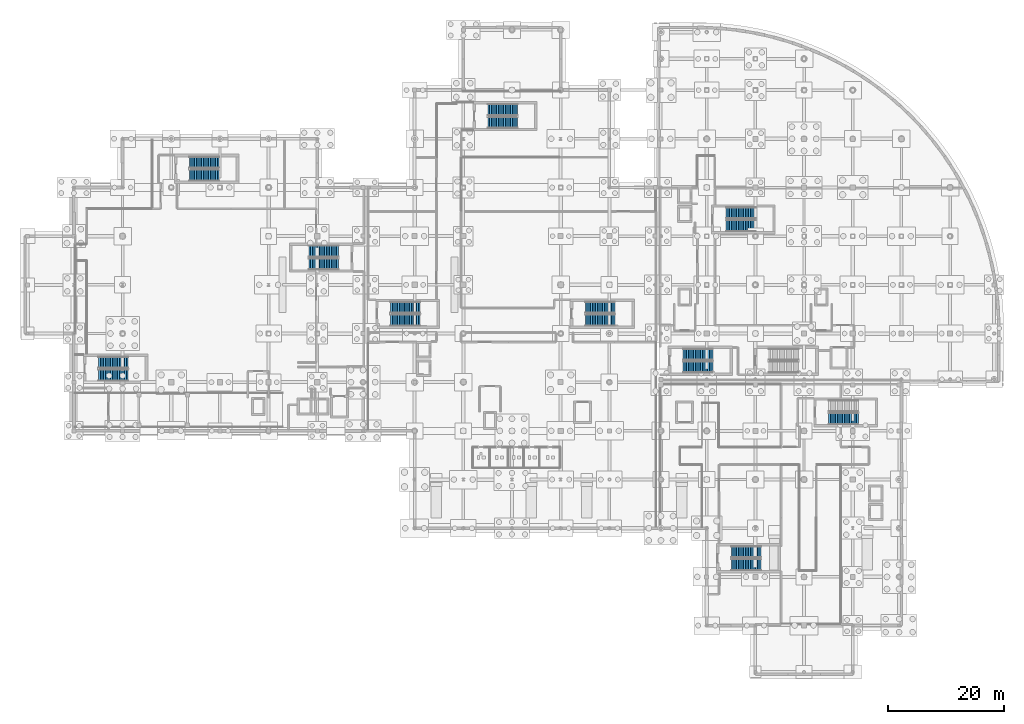
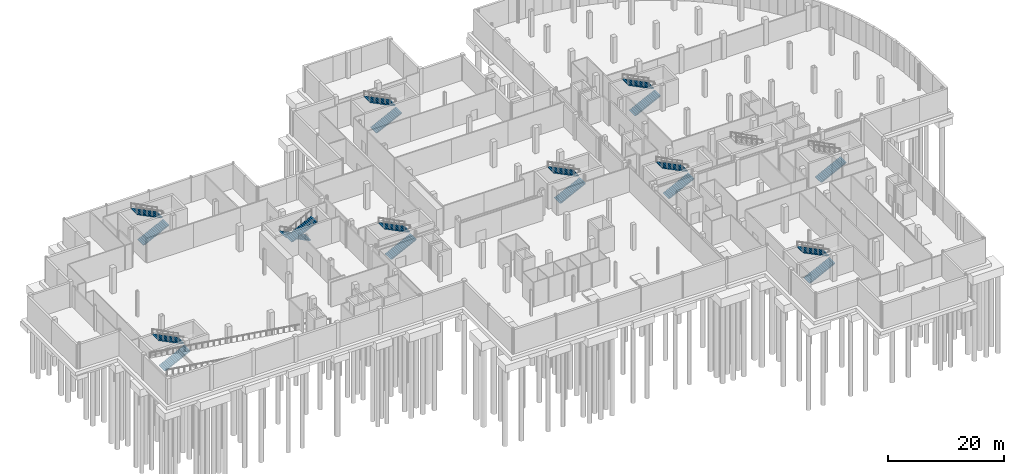
# One storey, part 36 of 49: 19 stair flights, 10 elements without a shape of their own.
"""IFC4 building model written with IfcOpenShell, lengths in metres."""

import ifcopenshell
import ifcopenshell.guid

model = None  # the IFC model being written
_history = None  # IfcOwnerHistory: only IFC2X3 demands one
_inside = {}  # id of a spatial element -> (the spatial element, [elements in it])
_under = {}  # id of a project, library or spatial element -> (it, [spatial elements below it])
_declared = {}  # id of a project -> (the project, [libraries it declares])
_typed = {}  # id of a type object -> (the type object, [elements of that type])
_made_of = {}  # id of a material, layer set ... -> (it, [elements and type objects made of it])


def new_model(schema):
    """Start an empty IFC model of exactly this schema.

    Asked for "IFC4X3", IfcOpenShell would pick the latest addendum, in which some entities
    have other attributes; the version numbers below select the first issue.
    IFC2X3 requires an IfcOwnerHistory on every rooted entity: one is made here for all.
    """
    global model, _history
    if schema == "IFC4X3":
        model = ifcopenshell.file(schema_version=(4, 3, 0, 0))
    else:
        model = ifcopenshell.file(schema=schema)
    _inside.clear()
    _under.clear()
    _declared.clear()
    _typed.clear()
    _made_of.clear()
    _history = None
    if model.schema == "IFC2X3":
        org = make("IfcOrganization", Name="unknown")
        user = make(
            "IfcPersonAndOrganization",
            ThePerson=make("IfcPerson", FamilyName="unknown"),
            TheOrganization=org,
        )
        app = make(
            "IfcApplication",
            ApplicationDeveloper=org,
            Version="unknown",
            ApplicationFullName="unknown",
            ApplicationIdentifier="unknown",
        )
        _history = make(
            "IfcOwnerHistory",
            OwningUser=user,
            OwningApplication=app,
            ChangeAction="ADDED",
            CreationDate=0,
        )
    return model


def make(cls, **values):
    """One entity of the class cls with the attributes given. An attribute that is None is left unset."""
    return model.create_entity(
        cls, **{name: value for name, value in values.items() if value is not None}
    )


def rooted(cls, **values):
    """An entity with a GlobalId (a new one), such as an element, a storey or a relation."""
    return make(cls, GlobalId=ifcopenshell.guid.new(), OwnerHistory=_history, **values)


def si_unit(unit_type, name, prefix=None):
    """IfcSIUnit, for example si_unit("LENGTHUNIT", "METRE", prefix="MILLI")."""
    return make("IfcSIUnit", UnitType=unit_type, Prefix=prefix, Name=name)


def assignment(units):
    """IfcUnitAssignment: the units of a project."""
    return None if units is None else make("IfcUnitAssignment", Units=units)


def point(xyz):
    """IfcCartesianPoint."""
    return None if xyz is None else make("IfcCartesianPoint", Coordinates=xyz)


def direction(xyz):
    """IfcDirection."""
    return None if xyz is None else make("IfcDirection", DirectionRatios=xyz)


def frame(location, z_axis=None, x_axis=None):
    """IfcAxis2Placement3D, a coordinate frame: its origin and axes. An axis left out is left unset."""
    return make(
        "IfcAxis2Placement3D",
        Location=point(location),
        Axis=direction(z_axis),
        RefDirection=direction(x_axis),
    )


def origin():
    """The frame at (0, 0, 0) with its axes left unset."""
    return frame((0.0, 0.0, 0.0))


def place(relative_to, where):
    """IfcLocalPlacement: puts the frame where relative to a parent placement (None: the world)."""
    return make(
        "IfcLocalPlacement", PlacementRelTo=relative_to, RelativePlacement=where
    )


def context(
    kind, dimensions, precision=None, world=None, true_north=None, identifier=None
):
    """IfcGeometricRepresentationContext, for example the 3D "Model" context."""
    return make(
        "IfcGeometricRepresentationContext",
        ContextIdentifier=identifier,
        ContextType=kind,
        CoordinateSpaceDimension=dimensions,
        Precision=precision,
        WorldCoordinateSystem=world,
        TrueNorth=true_north,
    )


def subcontext(parent, identifier, kind, view, scale=None):
    """IfcGeometricRepresentationSubContext, for example "Body" below "Model"."""
    return make(
        "IfcGeometricRepresentationSubContext",
        ContextIdentifier=identifier,
        ContextType=kind,
        ParentContext=parent,
        TargetScale=scale,
        TargetView=view,
    )


def project(units=None, contexts=None):
    """IfcProject with its units and contexts."""
    return rooted(
        "IfcProject",
        Name="project",
        RepresentationContexts=contexts,
        UnitsInContext=assignment(units),
    )


def spatial(cls, under=None, at=None, **own):
    """A site, building, storey or space (cls), placed at a placement, below another one or the project."""
    s = rooted(cls, ObjectPlacement=at, **own)
    if under is not None:
        _under.setdefault(under.id(), (under, []))[1].append(s)
    return s


def polyline(points):
    """IfcPolyline through the points."""
    return make("IfcPolyline", Points=[point(p) for p in points])


def outline(outer, holes=None, kind="AREA"):
    """IfcArbitraryClosedProfileDef: a profile drawn as a closed curve; with holes, ...WithVoids."""
    if holes is None:
        return make("IfcArbitraryClosedProfileDef", ProfileType=kind, OuterCurve=outer)
    return make(
        "IfcArbitraryProfileDefWithVoids",
        ProfileType=kind,
        OuterCurve=outer,
        InnerCurves=holes,
    )


def extrude(swept, where, along, depth):
    """IfcExtrudedAreaSolid: the profile swept, set in the frame where, extruded along a direction by depth."""
    return make(
        "IfcExtrudedAreaSolid",
        SweptArea=swept,
        Position=where,
        ExtrudedDirection=direction(along),
        Depth=depth,
    )


def shape(context_of_items, identifier, shape_type, items):
    """IfcShapeRepresentation: the items that make up one representation, for example the "Body"."""
    return make(
        "IfcShapeRepresentation",
        ContextOfItems=context_of_items,
        RepresentationIdentifier=identifier,
        RepresentationType=shape_type,
        Items=items,
    )


def material(Name=None, Category=None):
    """IfcMaterial."""
    return make("IfcMaterial", Name=Name, Category=Category)


def made_of(thing, what):
    """Note that an element or type object is made of a material, layer set ...; save() writes the relation."""
    if what is not None:
        _made_of.setdefault(what.id(), (what, []))[1].append(thing)
    return thing


def type_object(cls, material=None, **own):
    """A type object (cls), such as IfcWallType, which elements share."""
    return made_of(rooted(cls, **own), material)


def element(
    cls,
    number,
    at=None,
    inside=None,
    cuts=None,
    type_object=None,
    material=None,
    context=None,
    identifier="Body",
    shape_type=None,
    held_by="IfcProductDefinitionShape",
    body=None,
    shapes=None,
    **own,
):
    """One element of the class cls, such as IfcWall. Its Tag is "e" and its number.

    at: its placement. inside: the storey or other place that contains it. cuts: it is an
    opening in that element (IfcRelVoidsElement). A single representation is given by context,
    identifier, shape_type and body (its items); several are given by shapes. held_by: the class
    of the entity that holds the representations. save() writes the other relations.
    """
    e = rooted(cls, Tag="e%d" % number, ObjectPlacement=at, **own)
    if body is not None:
        shapes = [shape(context, identifier, shape_type, body)]
    if shapes is not None:
        e.Representation = make(held_by, Representations=shapes)
    if inside is not None:
        _inside.setdefault(inside.id(), (inside, []))[1].append(e)
    if cuts is not None:
        rooted(
            "IfcRelVoidsElement", RelatingBuildingElement=cuts, RelatedOpeningElement=e
        )
    if type_object is not None:
        _typed.setdefault(type_object.id(), (type_object, []))[1].append(e)
    return made_of(e, material)


def aggregate(whole, parts):
    """IfcRelAggregates: a whole, such as a stair, and the parts it consists of."""
    return rooted("IfcRelAggregates", RelatingObject=whole, RelatedObjects=parts)


def save(model, path):
    """Write the relations noted so far, then the file.

    IfcRelAggregates (storeys below a building ...), IfcRelContainedInSpatialStructure (elements
    in a storey), IfcRelDefinesByType, IfcRelAssociatesMaterial and IfcRelDeclares: one each for
    every whole, place, type object, material and project.
    """
    for whole, parts in _under.values():
        aggregate(whole, parts)
    for where, things in _inside.values():
        rooted(
            "IfcRelContainedInSpatialStructure",
            RelatedElements=things,
            RelatingStructure=where,
        )
    for kind, things in _typed.values():
        rooted("IfcRelDefinesByType", RelatedObjects=things, RelatingType=kind)
    for what, things in _made_of.values():
        rooted("IfcRelAssociatesMaterial", RelatedObjects=things, RelatingMaterial=what)
    for by, libraries in _declared.values():
        rooted("IfcRelDeclares", RelatingContext=by, RelatedDefinitions=libraries)
    model.write(path)


model = new_model("IFC4")

# Units and contexts
model_context = context("Model", 3, precision=1e-05, world=origin(), true_north=direction((0.0, 1.0)))
body_context = subcontext(model_context, "Body", "Model", "MODEL_VIEW")
ifc_project = project(units=[si_unit("LENGTHUNIT", "METRE"), si_unit("AREAUNIT", "SQUARE_METRE"), si_unit("VOLUMEUNIT", "CUBIC_METRE"), si_unit("PLANEANGLEUNIT", "RADIAN"), si_unit("MASSUNIT", "GRAM", prefix="KILO"), si_unit("THERMODYNAMICTEMPERATUREUNIT", "KELVIN")], contexts=[model_context])

# Site, building, storey
site_placement = place(None, origin())
site = spatial("IfcSite", under=ifc_project, at=site_placement, CompositionType="ELEMENT")
building_placement = place(site_placement, origin())
building = spatial("IfcBuilding", under=site, at=building_placement, Name="Lustrewick Department Store", CompositionType="ELEMENT")
storey_placement = place(building_placement, frame((0.0, 0.0, -5.39990234375)))
storey = spatial("IfcBuildingStorey", under=building, at=storey_placement, Name="B1", CompositionType="ELEMENT", Elevation=-5.39990234375)

# Stair, stair flights
ifc_material = material(Name="Concrete C30", Category="concrete")
stair_type = type_object("IfcStairType", Name="ST-H54", PredefinedType="HALF_TURN_STAIR", material=ifc_material)
stair_1_placement = place(storey_placement, origin())
stair_1 = element("IfcStair", 1, at=stair_1_placement, inside=storey, type_object=stair_type, Name="B1 Smoke-Proof Exit Stair ST01", PredefinedType="HALF_TURN_STAIR")
stair_flight_type = type_object("IfcStairFlightType", Name="SF-H54", PredefinedType="STRAIGHT", material=ifc_material)
stair_flight_1_placement = place(storey_placement, frame((12.64990234375, 51.60009765625, 0.0), z_axis=(0.0, 0.0, 1.0), x_axis=(1.0, 0.0, 0.0)))
stair_flight_1 = element("IfcStairFlight", 2, at=stair_flight_1_placement, type_object=stair_flight_type, Name="ST-H54 flight 1", NumberOfRisers=18, NumberOfTreads=17, PredefinedType="STRAIGHT", RiserHeight=0.15, TreadLength=0.3, context=body_context, shape_type="SweptSolid", body=[
    extrude(outline(polyline([(0.0, 0.0), (0.0, 0.14990234375), (0.300048828125, 0.14990234375), (0.300048828125, 0.300048828125), (0.60009765625, 0.300048828125), (0.60009765625, 0.449951171875), (0.89990234375, 0.449951171875), (0.89990234375, 0.60009765625), (1.199951171875, 0.60009765625), (1.199951171875, 0.75), (1.5, 0.75), (1.5, 0.89990234375), (1.800048828125, 0.89990234375), (1.800048828125, 1.050048828125), (2.10009765625, 1.050048828125), (2.10009765625, 1.199951171875), (2.39990234375, 1.199951171875), (2.39990234375, 1.35009765625), (2.699951171875, 1.35009765625), (2.699951171875, 1.5), (3.0, 1.5), (3.0, 1.64990234375), (3.300048828125, 1.64990234375), (3.300048828125, 1.800048828125), (3.60009765625, 1.800048828125), (3.60009765625, 1.949951171875), (3.89990234375, 1.949951171875), (3.89990234375, 2.10009765625), (4.199951171875, 2.10009765625), (4.199951171875, 2.25), (4.5, 2.25), (4.5, 2.39990234375), (4.800048828125, 2.39990234375), (4.800048828125, 2.550048828125), (5.10009765625, 2.550048828125), (5.10009765625, 2.699951171875), (5.10009765625, 2.37109375), (0.357666015625, 0.0), (0.0, 0.0)])), frame((0.0, 1.0, 0.0), z_axis=(0.0, -1.0, 0.0), x_axis=(1.0, 0.0, 0.0)), (0.0, 0.0, 1.0), 2.0),
])
stair_flight_2_placement = place(storey_placement, frame((17.75, 53.800048828125, 2.699951171875), z_axis=(0.0, 0.0, 1.0), x_axis=(-1.0, 0.0, 0.0)))
stair_flight_2 = element("IfcStairFlight", 3, at=stair_flight_2_placement, type_object=stair_flight_type, Name="ST-H54 flight 2", NumberOfRisers=18, NumberOfTreads=17, PredefinedType="STRAIGHT", RiserHeight=0.15, TreadLength=0.3, context=body_context, shape_type="SweptSolid", body=[
    extrude(outline(polyline([(0.0, 0.0), (0.0, 0.14990234375), (0.300048828125, 0.14990234375), (0.300048828125, 0.300048828125), (0.60009765625, 0.300048828125), (0.60009765625, 0.449951171875), (0.89990234375, 0.449951171875), (0.89990234375, 0.60009765625), (1.199951171875, 0.60009765625), (1.199951171875, 0.75), (1.5, 0.75), (1.5, 0.89990234375), (1.800048828125, 0.89990234375), (1.800048828125, 1.050048828125), (2.10009765625, 1.050048828125), (2.10009765625, 1.199951171875), (2.39990234375, 1.199951171875), (2.39990234375, 1.35009765625), (2.699951171875, 1.35009765625), (2.699951171875, 1.5), (3.0, 1.5), (3.0, 1.64990234375), (3.300048828125, 1.64990234375), (3.300048828125, 1.800048828125), (3.60009765625, 1.800048828125), (3.60009765625, 1.949951171875), (3.89990234375, 1.949951171875), (3.89990234375, 2.10009765625), (4.199951171875, 2.10009765625), (4.199951171875, 2.25), (4.5, 2.25), (4.5, 2.39990234375), (4.800048828125, 2.39990234375), (4.800048828125, 2.550048828125), (5.10009765625, 2.550048828125), (5.10009765625, 2.699951171875), (5.10009765625, 2.37109375), (0.357666015625, 0.0), (0.0, 0.0)])), frame((0.0, 1.0, 0.0), z_axis=(0.0, -1.0, 0.0), x_axis=(1.0, 0.0, 0.0)), (0.0, 0.0, 1.0), 2.0),
])
aggregate(stair_1, [stair_flight_1, stair_flight_2])

stair_2_placement = place(storey_placement, origin())
stair_2 = element("IfcStair", 4, at=stair_2_placement, inside=storey, type_object=stair_type, Name="B1 Smoke-Proof Exit Stair ST02", PredefinedType="HALF_TURN_STAIR")
stair_flight_3_placement = place(storey_placement, frame((54.050048828125, 73.0, 0.0), z_axis=(0.0, 0.0, 1.0), x_axis=(-1.0, 0.0, 0.0)))
stair_flight_3 = element("IfcStairFlight", 5, at=stair_flight_3_placement, type_object=stair_flight_type, Name="ST-H54 flight 1", NumberOfRisers=18, NumberOfTreads=17, PredefinedType="STRAIGHT", RiserHeight=0.15, TreadLength=0.3, context=body_context, shape_type="SweptSolid", body=[
    extrude(outline(polyline([(0.0, 0.0), (0.0, 0.14990234375), (0.300048828125, 0.14990234375), (0.300048828125, 0.300048828125), (0.60009765625, 0.300048828125), (0.60009765625, 0.449951171875), (0.89990234375, 0.449951171875), (0.89990234375, 0.60009765625), (1.199951171875, 0.60009765625), (1.199951171875, 0.75), (1.5, 0.75), (1.5, 0.89990234375), (1.800048828125, 0.89990234375), (1.800048828125, 1.050048828125), (2.10009765625, 1.050048828125), (2.10009765625, 1.199951171875), (2.39990234375, 1.199951171875), (2.39990234375, 1.35009765625), (2.699951171875, 1.35009765625), (2.699951171875, 1.5), (3.0, 1.5), (3.0, 1.64990234375), (3.300048828125, 1.64990234375), (3.300048828125, 1.800048828125), (3.60009765625, 1.800048828125), (3.60009765625, 1.949951171875), (3.89990234375, 1.949951171875), (3.89990234375, 2.10009765625), (4.199951171875, 2.10009765625), (4.199951171875, 2.25), (4.5, 2.25), (4.5, 2.39990234375), (4.800048828125, 2.39990234375), (4.800048828125, 2.550048828125), (5.10009765625, 2.550048828125), (5.10009765625, 2.699951171875), (5.10009765625, 2.37109375), (0.357666015625, 0.0), (0.0, 0.0)])), frame((0.0, 1.0, 0.0), z_axis=(0.0, -1.0, 0.0), x_axis=(1.0, 0.0, 0.0)), (0.0, 0.0, 1.0), 2.0),
])
stair_flight_4_placement = place(storey_placement, frame((48.949951171875, 70.800048828125, 2.699951171875), z_axis=(0.0, 0.0, 1.0), x_axis=(1.0, 0.0, 0.0)))
stair_flight_4 = element("IfcStairFlight", 6, at=stair_flight_4_placement, type_object=stair_flight_type, Name="ST-H54 flight 2", NumberOfRisers=18, NumberOfTreads=17, PredefinedType="STRAIGHT", RiserHeight=0.15, TreadLength=0.3, context=body_context, shape_type="SweptSolid", body=[
    extrude(outline(polyline([(0.0, 0.0), (0.0, 0.14990234375), (0.300048828125, 0.14990234375), (0.300048828125, 0.300048828125), (0.60009765625, 0.300048828125), (0.60009765625, 0.449951171875), (0.89990234375, 0.449951171875), (0.89990234375, 0.60009765625), (1.199951171875, 0.60009765625), (1.199951171875, 0.75), (1.5, 0.75), (1.5, 0.89990234375), (1.800048828125, 0.89990234375), (1.800048828125, 1.050048828125), (2.10009765625, 1.050048828125), (2.10009765625, 1.199951171875), (2.39990234375, 1.199951171875), (2.39990234375, 1.35009765625), (2.699951171875, 1.35009765625), (2.699951171875, 1.5), (3.0, 1.5), (3.0, 1.64990234375), (3.300048828125, 1.64990234375), (3.300048828125, 1.800048828125), (3.60009765625, 1.800048828125), (3.60009765625, 1.949951171875), (3.89990234375, 1.949951171875), (3.89990234375, 2.10009765625), (4.199951171875, 2.10009765625), (4.199951171875, 2.25), (4.5, 2.25), (4.5, 2.39990234375), (4.800048828125, 2.39990234375), (4.800048828125, 2.550048828125), (5.10009765625, 2.550048828125), (5.10009765625, 2.699951171875), (5.10009765625, 2.37109375), (0.357666015625, 0.0), (0.0, 0.0)])), frame((0.0, 1.0, 0.0), z_axis=(0.0, -1.0, 0.0), x_axis=(1.0, 0.0, 0.0)), (0.0, 0.0, 1.0), 2.0),
])
aggregate(stair_2, [stair_flight_3, stair_flight_4])

stair_3_placement = place(storey_placement, origin())
stair_3 = element("IfcStair", 7, at=stair_3_placement, inside=storey, type_object=stair_type, Name="B1 Smoke-Proof Exit Stair ST03", PredefinedType="HALF_TURN_STAIR")
stair_flight_5_placement = place(storey_placement, frame((28.35009765625, 86.10009765625, 0.0), z_axis=(0.0, 0.0, 1.0), x_axis=(1.0, 0.0, 0.0)))
stair_flight_5 = element("IfcStairFlight", 8, at=stair_flight_5_placement, type_object=stair_flight_type, Name="ST-H54 flight 1", NumberOfRisers=18, NumberOfTreads=17, PredefinedType="STRAIGHT", RiserHeight=0.15, TreadLength=0.3, context=body_context, shape_type="SweptSolid", body=[
    extrude(outline(polyline([(0.0, 0.0), (0.0, 0.14990234375), (0.300048828125, 0.14990234375), (0.300048828125, 0.300048828125), (0.60009765625, 0.300048828125), (0.60009765625, 0.449951171875), (0.89990234375, 0.449951171875), (0.89990234375, 0.60009765625), (1.199951171875, 0.60009765625), (1.199951171875, 0.75), (1.5, 0.75), (1.5, 0.89990234375), (1.800048828125, 0.89990234375), (1.800048828125, 1.050048828125), (2.10009765625, 1.050048828125), (2.10009765625, 1.199951171875), (2.39990234375, 1.199951171875), (2.39990234375, 1.35009765625), (2.699951171875, 1.35009765625), (2.699951171875, 1.5), (3.0, 1.5), (3.0, 1.64990234375), (3.300048828125, 1.64990234375), (3.300048828125, 1.800048828125), (3.60009765625, 1.800048828125), (3.60009765625, 1.949951171875), (3.89990234375, 1.949951171875), (3.89990234375, 2.10009765625), (4.199951171875, 2.10009765625), (4.199951171875, 2.25), (4.5, 2.25), (4.5, 2.39990234375), (4.800048828125, 2.39990234375), (4.800048828125, 2.550048828125), (5.10009765625, 2.550048828125), (5.10009765625, 2.699951171875), (5.10009765625, 2.37109375), (0.357666015625, 0.0), (0.0, 0.0)])), frame((0.0, 1.0, 0.0), z_axis=(0.0, -1.0, 0.0), x_axis=(1.0, 0.0, 0.0)), (0.0, 0.0, 1.0), 2.0),
])
stair_flight_6_placement = place(storey_placement, frame((33.449951171875, 88.300048828125, 2.699951171875), z_axis=(0.0, 0.0, 1.0), x_axis=(-1.0, 0.0, 0.0)))
stair_flight_6 = element("IfcStairFlight", 9, at=stair_flight_6_placement, type_object=stair_flight_type, Name="ST-H54 flight 2", NumberOfRisers=18, NumberOfTreads=17, PredefinedType="STRAIGHT", RiserHeight=0.15, TreadLength=0.3, context=body_context, shape_type="SweptSolid", body=[
    extrude(outline(polyline([(0.0, 0.0), (0.0, 0.14990234375), (0.300048828125, 0.14990234375), (0.300048828125, 0.300048828125), (0.60009765625, 0.300048828125), (0.60009765625, 0.449951171875), (0.89990234375, 0.449951171875), (0.89990234375, 0.60009765625), (1.199951171875, 0.60009765625), (1.199951171875, 0.75), (1.5, 0.75), (1.5, 0.89990234375), (1.800048828125, 0.89990234375), (1.800048828125, 1.050048828125), (2.10009765625, 1.050048828125), (2.10009765625, 1.199951171875), (2.39990234375, 1.199951171875), (2.39990234375, 1.35009765625), (2.699951171875, 1.35009765625), (2.699951171875, 1.5), (3.0, 1.5), (3.0, 1.64990234375), (3.300048828125, 1.64990234375), (3.300048828125, 1.800048828125), (3.60009765625, 1.800048828125), (3.60009765625, 1.949951171875), (3.89990234375, 1.949951171875), (3.89990234375, 2.10009765625), (4.199951171875, 2.10009765625), (4.199951171875, 2.25), (4.5, 2.25), (4.5, 2.39990234375), (4.800048828125, 2.39990234375), (4.800048828125, 2.550048828125), (5.10009765625, 2.550048828125), (5.10009765625, 2.699951171875), (5.10009765625, 2.37109375), (0.357666015625, 0.0), (0.0, 0.0)])), frame((0.0, 1.0, 0.0), z_axis=(0.0, -1.0, 0.0), x_axis=(1.0, 0.0, 0.0)), (0.0, 0.0, 1.0), 2.0),
])
aggregate(stair_3, [stair_flight_5, stair_flight_6])

stair_4_placement = place(storey_placement, origin())
stair_4 = element("IfcStair", 10, at=stair_4_placement, inside=storey, type_object=stair_type, Name="B1 Smoke-Proof Exit Stair ST04", PredefinedType="HALF_TURN_STAIR")
stair_flight_7_placement = place(storey_placement, frame((63.050048828125, 61.10009765625, 0.0), z_axis=(0.0, 0.0, 1.0), x_axis=(1.0, 0.0, 0.0)))
stair_flight_7 = element("IfcStairFlight", 11, at=stair_flight_7_placement, type_object=stair_flight_type, Name="ST-H54 flight 1", NumberOfRisers=18, NumberOfTreads=17, PredefinedType="STRAIGHT", RiserHeight=0.15, TreadLength=0.3, context=body_context, shape_type="SweptSolid", body=[
    extrude(outline(polyline([(0.0, 0.0), (0.0, 0.14990234375), (0.300048828125, 0.14990234375), (0.300048828125, 0.300048828125), (0.60009765625, 0.300048828125), (0.60009765625, 0.449951171875), (0.89990234375, 0.449951171875), (0.89990234375, 0.60009765625), (1.199951171875, 0.60009765625), (1.199951171875, 0.75), (1.5, 0.75), (1.5, 0.89990234375), (1.800048828125, 0.89990234375), (1.800048828125, 1.050048828125), (2.10009765625, 1.050048828125), (2.10009765625, 1.199951171875), (2.39990234375, 1.199951171875), (2.39990234375, 1.35009765625), (2.699951171875, 1.35009765625), (2.699951171875, 1.5), (3.0, 1.5), (3.0, 1.64990234375), (3.300048828125, 1.64990234375), (3.300048828125, 1.800048828125), (3.60009765625, 1.800048828125), (3.60009765625, 1.949951171875), (3.89990234375, 1.949951171875), (3.89990234375, 2.10009765625), (4.199951171875, 2.10009765625), (4.199951171875, 2.25), (4.5, 2.25), (4.5, 2.39990234375), (4.800048828125, 2.39990234375), (4.800048828125, 2.550048828125), (5.10009765625, 2.550048828125), (5.10009765625, 2.699951171875), (5.10009765625, 2.37109375), (0.357666015625, 0.0), (0.0, 0.0)])), frame((0.0, 1.0, 0.0), z_axis=(0.0, -1.0, 0.0), x_axis=(1.0, 0.0, 0.0)), (0.0, 0.0, 1.0), 2.0),
])
stair_flight_8_placement = place(storey_placement, frame((68.14990234375, 63.300048828125, 2.699951171875), z_axis=(0.0, 0.0, 1.0), x_axis=(-1.0, 0.0, 0.0)))
stair_flight_8 = element("IfcStairFlight", 12, at=stair_flight_8_placement, type_object=stair_flight_type, Name="ST-H54 flight 2", NumberOfRisers=18, NumberOfTreads=17, PredefinedType="STRAIGHT", RiserHeight=0.15, TreadLength=0.3, context=body_context, shape_type="SweptSolid", body=[
    extrude(outline(polyline([(0.0, 0.0), (0.0, 0.14990234375), (0.300048828125, 0.14990234375), (0.300048828125, 0.300048828125), (0.60009765625, 0.300048828125), (0.60009765625, 0.449951171875), (0.89990234375, 0.449951171875), (0.89990234375, 0.60009765625), (1.199951171875, 0.60009765625), (1.199951171875, 0.75), (1.5, 0.75), (1.5, 0.89990234375), (1.800048828125, 0.89990234375), (1.800048828125, 1.050048828125), (2.10009765625, 1.050048828125), (2.10009765625, 1.199951171875), (2.39990234375, 1.199951171875), (2.39990234375, 1.35009765625), (2.699951171875, 1.35009765625), (2.699951171875, 1.5), (3.0, 1.5), (3.0, 1.64990234375), (3.300048828125, 1.64990234375), (3.300048828125, 1.800048828125), (3.60009765625, 1.800048828125), (3.60009765625, 1.949951171875), (3.89990234375, 1.949951171875), (3.89990234375, 2.10009765625), (4.199951171875, 2.10009765625), (4.199951171875, 2.25), (4.5, 2.25), (4.5, 2.39990234375), (4.800048828125, 2.39990234375), (4.800048828125, 2.550048828125), (5.10009765625, 2.550048828125), (5.10009765625, 2.699951171875), (5.10009765625, 2.37109375), (0.357666015625, 0.0), (0.0, 0.0)])), frame((0.0, 1.0, 0.0), z_axis=(0.0, -1.0, 0.0), x_axis=(1.0, 0.0, 0.0)), (0.0, 0.0, 1.0), 2.0),
])
aggregate(stair_4, [stair_flight_7, stair_flight_8])

stair_5_placement = place(storey_placement, origin())
stair_5 = element("IfcStair", 13, at=stair_5_placement, inside=storey, type_object=stair_type, Name="B1 Smoke-Proof Exit Stair ST05", PredefinedType="HALF_TURN_STAIR")
stair_flight_9_placement = place(storey_placement, frame((96.64990234375, 61.10009765625, 0.0), z_axis=(0.0, 0.0, 1.0), x_axis=(1.0, 0.0, 0.0)))
stair_flight_9 = element("IfcStairFlight", 14, at=stair_flight_9_placement, type_object=stair_flight_type, Name="ST-H54 flight 1", NumberOfRisers=18, NumberOfTreads=17, PredefinedType="STRAIGHT", RiserHeight=0.15, TreadLength=0.3, context=body_context, shape_type="SweptSolid", body=[
    extrude(outline(polyline([(0.0, 0.0), (0.0, 0.14990234375), (0.300048828125, 0.14990234375), (0.300048828125, 0.300048828125), (0.60009765625, 0.300048828125), (0.60009765625, 0.449951171875), (0.89990234375, 0.449951171875), (0.89990234375, 0.60009765625), (1.199951171875, 0.60009765625), (1.199951171875, 0.75), (1.5, 0.75), (1.5, 0.89990234375), (1.800048828125, 0.89990234375), (1.800048828125, 1.050048828125), (2.10009765625, 1.050048828125), (2.10009765625, 1.199951171875), (2.39990234375, 1.199951171875), (2.39990234375, 1.35009765625), (2.699951171875, 1.35009765625), (2.699951171875, 1.5), (3.0, 1.5), (3.0, 1.64990234375), (3.300048828125, 1.64990234375), (3.300048828125, 1.800048828125), (3.60009765625, 1.800048828125), (3.60009765625, 1.949951171875), (3.89990234375, 1.949951171875), (3.89990234375, 2.10009765625), (4.199951171875, 2.10009765625), (4.199951171875, 2.25), (4.5, 2.25), (4.5, 2.39990234375), (4.800048828125, 2.39990234375), (4.800048828125, 2.550048828125), (5.10009765625, 2.550048828125), (5.10009765625, 2.699951171875), (5.10009765625, 2.37109375), (0.357666015625, 0.0), (0.0, 0.0)])), frame((0.0, 1.0, 0.0), z_axis=(0.0, -1.0, 0.0), x_axis=(1.0, 0.0, 0.0)), (0.0, 0.0, 1.0), 2.0),
])
stair_flight_10_placement = place(storey_placement, frame((101.75, 63.300048828125, 2.699951171875), z_axis=(0.0, 0.0, 1.0), x_axis=(-1.0, 0.0, 0.0)))
stair_flight_10 = element("IfcStairFlight", 15, at=stair_flight_10_placement, type_object=stair_flight_type, Name="ST-H54 flight 2", NumberOfRisers=18, NumberOfTreads=17, PredefinedType="STRAIGHT", RiserHeight=0.15, TreadLength=0.3, context=body_context, shape_type="SweptSolid", body=[
    extrude(outline(polyline([(0.0, 0.0), (0.0, 0.14990234375), (0.300048828125, 0.14990234375), (0.300048828125, 0.300048828125), (0.60009765625, 0.300048828125), (0.60009765625, 0.449951171875), (0.89990234375, 0.449951171875), (0.89990234375, 0.60009765625), (1.199951171875, 0.60009765625), (1.199951171875, 0.75), (1.5, 0.75), (1.5, 0.89990234375), (1.800048828125, 0.89990234375), (1.800048828125, 1.050048828125), (2.10009765625, 1.050048828125), (2.10009765625, 1.199951171875), (2.39990234375, 1.199951171875), (2.39990234375, 1.35009765625), (2.699951171875, 1.35009765625), (2.699951171875, 1.5), (3.0, 1.5), (3.0, 1.64990234375), (3.300048828125, 1.64990234375), (3.300048828125, 1.800048828125), (3.60009765625, 1.800048828125), (3.60009765625, 1.949951171875), (3.89990234375, 1.949951171875), (3.89990234375, 2.10009765625), (4.199951171875, 2.10009765625), (4.199951171875, 2.25), (4.5, 2.25), (4.5, 2.39990234375), (4.800048828125, 2.39990234375), (4.800048828125, 2.550048828125), (5.10009765625, 2.550048828125), (5.10009765625, 2.699951171875), (5.10009765625, 2.37109375), (0.357666015625, 0.0), (0.0, 0.0)])), frame((0.0, 1.0, 0.0), z_axis=(0.0, -1.0, 0.0), x_axis=(1.0, 0.0, 0.0)), (0.0, 0.0, 1.0), 2.0),
])
aggregate(stair_5, [stair_flight_9, stair_flight_10])

stair_6_placement = place(storey_placement, origin())
stair_6 = element("IfcStair", 16, at=stair_6_placement, inside=storey, type_object=stair_type, Name="B1 Smoke-Proof Exit Stair ST06", PredefinedType="HALF_TURN_STAIR")
stair_flight_11_placement = place(storey_placement, frame((79.85009765625, 95.199951171875, 0.0), z_axis=(0.0, 0.0, 1.0), x_axis=(1.0, 0.0, 0.0)))
stair_flight_11 = element("IfcStairFlight", 17, at=stair_flight_11_placement, type_object=stair_flight_type, Name="ST-H54 flight 1", NumberOfRisers=18, NumberOfTreads=17, PredefinedType="STRAIGHT", RiserHeight=0.15, TreadLength=0.3, context=body_context, shape_type="SweptSolid", body=[
    extrude(outline(polyline([(0.0, 0.0), (0.0, 0.14990234375), (0.300048828125, 0.14990234375), (0.300048828125, 0.300048828125), (0.60009765625, 0.300048828125), (0.60009765625, 0.449951171875), (0.89990234375, 0.449951171875), (0.89990234375, 0.60009765625), (1.199951171875, 0.60009765625), (1.199951171875, 0.75), (1.5, 0.75), (1.5, 0.89990234375), (1.800048828125, 0.89990234375), (1.800048828125, 1.050048828125), (2.10009765625, 1.050048828125), (2.10009765625, 1.199951171875), (2.39990234375, 1.199951171875), (2.39990234375, 1.35009765625), (2.699951171875, 1.35009765625), (2.699951171875, 1.5), (3.0, 1.5), (3.0, 1.64990234375), (3.300048828125, 1.64990234375), (3.300048828125, 1.800048828125), (3.60009765625, 1.800048828125), (3.60009765625, 1.949951171875), (3.89990234375, 1.949951171875), (3.89990234375, 2.10009765625), (4.199951171875, 2.10009765625), (4.199951171875, 2.25), (4.5, 2.25), (4.5, 2.39990234375), (4.800048828125, 2.39990234375), (4.800048828125, 2.550048828125), (5.10009765625, 2.550048828125), (5.10009765625, 2.699951171875), (5.10009765625, 2.37109375), (0.357666015625, 0.0), (0.0, 0.0)])), frame((0.0, 1.0, 0.0), z_axis=(0.0, -1.0, 0.0), x_axis=(1.0, 0.0, 0.0)), (0.0, 0.0, 1.0), 2.0),
])
stair_flight_12_placement = place(storey_placement, frame((84.949951171875, 97.39990234375, 2.699951171875), z_axis=(0.0, 0.0, 1.0), x_axis=(-1.0, 0.0, 0.0)))
stair_flight_12 = element("IfcStairFlight", 18, at=stair_flight_12_placement, type_object=stair_flight_type, Name="ST-H54 flight 2", NumberOfRisers=18, NumberOfTreads=17, PredefinedType="STRAIGHT", RiserHeight=0.15, TreadLength=0.3, context=body_context, shape_type="SweptSolid", body=[
    extrude(outline(polyline([(0.0, 0.0), (0.0, 0.14990234375), (0.300048828125, 0.14990234375), (0.300048828125, 0.300048828125), (0.60009765625, 0.300048828125), (0.60009765625, 0.449951171875), (0.89990234375, 0.449951171875), (0.89990234375, 0.60009765625), (1.199951171875, 0.60009765625), (1.199951171875, 0.75), (1.5, 0.75), (1.5, 0.89990234375), (1.800048828125, 0.89990234375), (1.800048828125, 1.050048828125), (2.10009765625, 1.050048828125), (2.10009765625, 1.199951171875), (2.39990234375, 1.199951171875), (2.39990234375, 1.35009765625), (2.699951171875, 1.35009765625), (2.699951171875, 1.5), (3.0, 1.5), (3.0, 1.64990234375), (3.300048828125, 1.64990234375), (3.300048828125, 1.800048828125), (3.60009765625, 1.800048828125), (3.60009765625, 1.949951171875), (3.89990234375, 1.949951171875), (3.89990234375, 2.10009765625), (4.199951171875, 2.10009765625), (4.199951171875, 2.25), (4.5, 2.25), (4.5, 2.39990234375), (4.800048828125, 2.39990234375), (4.800048828125, 2.550048828125), (5.10009765625, 2.550048828125), (5.10009765625, 2.699951171875), (5.10009765625, 2.37109375), (0.357666015625, 0.0), (0.0, 0.0)])), frame((0.0, 1.0, 0.0), z_axis=(0.0, -1.0, 0.0), x_axis=(1.0, 0.0, 0.0)), (0.0, 0.0, 1.0), 2.0),
])
aggregate(stair_6, [stair_flight_11, stair_flight_12])

stair_7_placement = place(storey_placement, origin())
stair_7 = element("IfcStair", 19, at=stair_7_placement, inside=storey, type_object=stair_type, Name="B1 Smoke-Proof Exit Stair ST07", PredefinedType="HALF_TURN_STAIR")
stair_flight_13_placement = place(storey_placement, frame((121.85009765625, 18.89990234375, 0.0), z_axis=(0.0, 0.0, 1.0), x_axis=(1.0, 0.0, 0.0)))
stair_flight_13 = element("IfcStairFlight", 20, at=stair_flight_13_placement, type_object=stair_flight_type, Name="ST-H54 flight 1", NumberOfRisers=18, NumberOfTreads=17, PredefinedType="STRAIGHT", RiserHeight=0.15, TreadLength=0.3, context=body_context, shape_type="SweptSolid", body=[
    extrude(outline(polyline([(0.0, 0.0), (0.0, 0.14990234375), (0.300048828125, 0.14990234375), (0.300048828125, 0.300048828125), (0.60009765625, 0.300048828125), (0.60009765625, 0.449951171875), (0.89990234375, 0.449951171875), (0.89990234375, 0.60009765625), (1.199951171875, 0.60009765625), (1.199951171875, 0.75), (1.5, 0.75), (1.5, 0.89990234375), (1.800048828125, 0.89990234375), (1.800048828125, 1.050048828125), (2.10009765625, 1.050048828125), (2.10009765625, 1.199951171875), (2.39990234375, 1.199951171875), (2.39990234375, 1.35009765625), (2.699951171875, 1.35009765625), (2.699951171875, 1.5), (3.0, 1.5), (3.0, 1.64990234375), (3.300048828125, 1.64990234375), (3.300048828125, 1.800048828125), (3.60009765625, 1.800048828125), (3.60009765625, 1.949951171875), (3.89990234375, 1.949951171875), (3.89990234375, 2.10009765625), (4.199951171875, 2.10009765625), (4.199951171875, 2.25), (4.5, 2.25), (4.5, 2.39990234375), (4.800048828125, 2.39990234375), (4.800048828125, 2.550048828125), (5.10009765625, 2.550048828125), (5.10009765625, 2.699951171875), (5.10009765625, 2.37109375), (0.357666015625, 0.0), (0.0, 0.0)])), frame((0.0, 1.0, 0.0), z_axis=(0.0, -1.0, 0.0), x_axis=(1.0, 0.0, 0.0)), (0.0, 0.0, 1.0), 2.0),
])
stair_flight_14_placement = place(storey_placement, frame((126.949951171875, 21.10009765625, 2.699951171875), z_axis=(0.0, 0.0, 1.0), x_axis=(-1.0, 0.0, 0.0)))
stair_flight_14 = element("IfcStairFlight", 21, at=stair_flight_14_placement, type_object=stair_flight_type, Name="ST-H54 flight 2", NumberOfRisers=18, NumberOfTreads=17, PredefinedType="STRAIGHT", RiserHeight=0.15, TreadLength=0.3, context=body_context, shape_type="SweptSolid", body=[
    extrude(outline(polyline([(0.0, 0.0), (0.0, 0.14990234375), (0.300048828125, 0.14990234375), (0.300048828125, 0.300048828125), (0.60009765625, 0.300048828125), (0.60009765625, 0.449951171875), (0.89990234375, 0.449951171875), (0.89990234375, 0.60009765625), (1.199951171875, 0.60009765625), (1.199951171875, 0.75), (1.5, 0.75), (1.5, 0.89990234375), (1.800048828125, 0.89990234375), (1.800048828125, 1.050048828125), (2.10009765625, 1.050048828125), (2.10009765625, 1.199951171875), (2.39990234375, 1.199951171875), (2.39990234375, 1.35009765625), (2.699951171875, 1.35009765625), (2.699951171875, 1.5), (3.0, 1.5), (3.0, 1.64990234375), (3.300048828125, 1.64990234375), (3.300048828125, 1.800048828125), (3.60009765625, 1.800048828125), (3.60009765625, 1.949951171875), (3.89990234375, 1.949951171875), (3.89990234375, 2.10009765625), (4.199951171875, 2.10009765625), (4.199951171875, 2.25), (4.5, 2.25), (4.5, 2.39990234375), (4.800048828125, 2.39990234375), (4.800048828125, 2.550048828125), (5.10009765625, 2.550048828125), (5.10009765625, 2.699951171875), (5.10009765625, 2.37109375), (0.357666015625, 0.0), (0.0, 0.0)])), frame((0.0, 1.0, 0.0), z_axis=(0.0, -1.0, 0.0), x_axis=(1.0, 0.0, 0.0)), (0.0, 0.0, 1.0), 2.0),
])
aggregate(stair_7, [stair_flight_13, stair_flight_14])

# Stair, stair flight
stair_8_placement = place(storey_placement, origin())
stair_8 = element("IfcStair", 22, at=stair_8_placement, inside=storey, type_object=stair_type, Name="B1 Smoke-Proof Exit Stair ST08", PredefinedType="HALF_TURN_STAIR")
stair_flight_15_placement = place(storey_placement, frame((138.64990234375, 44.10009765625, 0.0), z_axis=(0.0, 0.0, 1.0), x_axis=(1.0, 0.0, 0.0)))
stair_flight_15 = element("IfcStairFlight", 23, at=stair_flight_15_placement, type_object=stair_flight_type, Name="ST-H54 flight 1", NumberOfRisers=18, NumberOfTreads=17, PredefinedType="STRAIGHT", RiserHeight=0.15, TreadLength=0.3, context=body_context, shape_type="SweptSolid", body=[
    extrude(outline(polyline([(0.0, 0.0), (0.0, 0.14990234375), (0.300048828125, 0.14990234375), (0.300048828125, 0.300048828125), (0.60009765625, 0.300048828125), (0.60009765625, 0.449951171875), (0.89990234375, 0.449951171875), (0.89990234375, 0.60009765625), (1.199951171875, 0.60009765625), (1.199951171875, 0.75), (1.5, 0.75), (1.5, 0.89990234375), (1.800048828125, 0.89990234375), (1.800048828125, 1.050048828125), (2.10009765625, 1.050048828125), (2.10009765625, 1.199951171875), (2.39990234375, 1.199951171875), (2.39990234375, 1.35009765625), (2.699951171875, 1.35009765625), (2.699951171875, 1.5), (3.0, 1.5), (3.0, 1.64990234375), (3.300048828125, 1.64990234375), (3.300048828125, 1.800048828125), (3.60009765625, 1.800048828125), (3.60009765625, 1.949951171875), (3.89990234375, 1.949951171875), (3.89990234375, 2.10009765625), (4.199951171875, 2.10009765625), (4.199951171875, 2.25), (4.5, 2.25), (4.5, 2.39990234375), (4.800048828125, 2.39990234375), (4.800048828125, 2.550048828125), (5.10009765625, 2.550048828125), (5.10009765625, 2.699951171875), (5.10009765625, 2.37109375), (0.357666015625, 0.0), (0.0, 0.0)])), frame((0.0, 1.0, 0.0), z_axis=(0.0, -1.0, 0.0), x_axis=(1.0, 0.0, 0.0)), (0.0, 0.0, 1.0), 2.0),
])
aggregate(stair_8, [stair_flight_15])

# Stair, stair flights
stair_9_placement = place(storey_placement, origin())
stair_9 = element("IfcStair", 24, at=stair_9_placement, inside=storey, type_object=stair_type, Name="B1 Smoke-Proof Exit Stair ST09", PredefinedType="HALF_TURN_STAIR")
stair_flight_16_placement = place(storey_placement, frame((113.550048828125, 53.0, 0.0), z_axis=(0.0, 0.0, 1.0), x_axis=(1.0, 0.0, 0.0)))
stair_flight_16 = element("IfcStairFlight", 25, at=stair_flight_16_placement, type_object=stair_flight_type, Name="ST-H54 flight 1", NumberOfRisers=18, NumberOfTreads=17, PredefinedType="STRAIGHT", RiserHeight=0.15, TreadLength=0.3, context=body_context, shape_type="SweptSolid", body=[
    extrude(outline(polyline([(0.0, 0.0), (0.0, 0.14990234375), (0.300048828125, 0.14990234375), (0.300048828125, 0.300048828125), (0.60009765625, 0.300048828125), (0.60009765625, 0.449951171875), (0.89990234375, 0.449951171875), (0.89990234375, 0.60009765625), (1.199951171875, 0.60009765625), (1.199951171875, 0.75), (1.5, 0.75), (1.5, 0.89990234375), (1.800048828125, 0.89990234375), (1.800048828125, 1.050048828125), (2.10009765625, 1.050048828125), (2.10009765625, 1.199951171875), (2.39990234375, 1.199951171875), (2.39990234375, 1.35009765625), (2.699951171875, 1.35009765625), (2.699951171875, 1.5), (3.0, 1.5), (3.0, 1.64990234375), (3.300048828125, 1.64990234375), (3.300048828125, 1.800048828125), (3.60009765625, 1.800048828125), (3.60009765625, 1.949951171875), (3.89990234375, 1.949951171875), (3.89990234375, 2.10009765625), (4.199951171875, 2.10009765625), (4.199951171875, 2.25), (4.5, 2.25), (4.5, 2.39990234375), (4.800048828125, 2.39990234375), (4.800048828125, 2.550048828125), (5.10009765625, 2.550048828125), (5.10009765625, 2.699951171875), (5.10009765625, 2.37109375), (0.357666015625, 0.0), (0.0, 0.0)])), frame((0.0, 1.0, 0.0), z_axis=(0.0, -1.0, 0.0), x_axis=(1.0, 0.0, 0.0)), (0.0, 0.0, 1.0), 2.0),
])
stair_flight_17_placement = place(storey_placement, frame((118.64990234375, 55.199951171875, 2.699951171875), z_axis=(0.0, 0.0, 1.0), x_axis=(-1.0, 0.0, 0.0)))
stair_flight_17 = element("IfcStairFlight", 26, at=stair_flight_17_placement, type_object=stair_flight_type, Name="ST-H54 flight 2", NumberOfRisers=18, NumberOfTreads=17, PredefinedType="STRAIGHT", RiserHeight=0.15, TreadLength=0.3, context=body_context, shape_type="SweptSolid", body=[
    extrude(outline(polyline([(0.0, 0.0), (0.0, 0.14990234375), (0.300048828125, 0.14990234375), (0.300048828125, 0.300048828125), (0.60009765625, 0.300048828125), (0.60009765625, 0.449951171875), (0.89990234375, 0.449951171875), (0.89990234375, 0.60009765625), (1.199951171875, 0.60009765625), (1.199951171875, 0.75), (1.5, 0.75), (1.5, 0.89990234375), (1.800048828125, 0.89990234375), (1.800048828125, 1.050048828125), (2.10009765625, 1.050048828125), (2.10009765625, 1.199951171875), (2.39990234375, 1.199951171875), (2.39990234375, 1.35009765625), (2.699951171875, 1.35009765625), (2.699951171875, 1.5), (3.0, 1.5), (3.0, 1.64990234375), (3.300048828125, 1.64990234375), (3.300048828125, 1.800048828125), (3.60009765625, 1.800048828125), (3.60009765625, 1.949951171875), (3.89990234375, 1.949951171875), (3.89990234375, 2.10009765625), (4.199951171875, 2.10009765625), (4.199951171875, 2.25), (4.5, 2.25), (4.5, 2.39990234375), (4.800048828125, 2.39990234375), (4.800048828125, 2.550048828125), (5.10009765625, 2.550048828125), (5.10009765625, 2.699951171875), (5.10009765625, 2.37109375), (0.357666015625, 0.0), (0.0, 0.0)])), frame((0.0, 1.0, 0.0), z_axis=(0.0, -1.0, 0.0), x_axis=(1.0, 0.0, 0.0)), (0.0, 0.0, 1.0), 2.0),
])
aggregate(stair_9, [stair_flight_16, stair_flight_17])

stair_10_placement = place(storey_placement, origin())
stair_10 = element("IfcStair", 27, at=stair_10_placement, inside=storey, type_object=stair_type, Name="B1 Smoke-Proof Exit Stair ST10", PredefinedType="HALF_TURN_STAIR")
stair_flight_18_placement = place(storey_placement, frame((120.949951171875, 77.39990234375, 0.0), z_axis=(0.0, 0.0, 1.0), x_axis=(1.0, 0.0, 0.0)))
stair_flight_18 = element("IfcStairFlight", 28, at=stair_flight_18_placement, type_object=stair_flight_type, Name="ST-H54 flight 1", NumberOfRisers=18, NumberOfTreads=17, PredefinedType="STRAIGHT", RiserHeight=0.15, TreadLength=0.3, context=body_context, shape_type="SweptSolid", body=[
    extrude(outline(polyline([(0.0, 0.0), (0.0, 0.14990234375), (0.300048828125, 0.14990234375), (0.300048828125, 0.300048828125), (0.60009765625, 0.300048828125), (0.60009765625, 0.449951171875), (0.89990234375, 0.449951171875), (0.89990234375, 0.60009765625), (1.199951171875, 0.60009765625), (1.199951171875, 0.75), (1.5, 0.75), (1.5, 0.89990234375), (1.800048828125, 0.89990234375), (1.800048828125, 1.050048828125), (2.10009765625, 1.050048828125), (2.10009765625, 1.199951171875), (2.39990234375, 1.199951171875), (2.39990234375, 1.35009765625), (2.699951171875, 1.35009765625), (2.699951171875, 1.5), (3.0, 1.5), (3.0, 1.64990234375), (3.300048828125, 1.64990234375), (3.300048828125, 1.800048828125), (3.60009765625, 1.800048828125), (3.60009765625, 1.949951171875), (3.89990234375, 1.949951171875), (3.89990234375, 2.10009765625), (4.199951171875, 2.10009765625), (4.199951171875, 2.25), (4.5, 2.25), (4.5, 2.39990234375), (4.800048828125, 2.39990234375), (4.800048828125, 2.550048828125), (5.10009765625, 2.550048828125), (5.10009765625, 2.699951171875), (5.10009765625, 2.37109375), (0.357666015625, 0.0), (0.0, 0.0)])), frame((0.0, 1.0, 0.0), z_axis=(0.0, -1.0, 0.0), x_axis=(1.0, 0.0, 0.0)), (0.0, 0.0, 1.0), 2.0),
])
stair_flight_19_placement = place(storey_placement, frame((126.050048828125, 79.60009765625, 2.699951171875), z_axis=(0.0, 0.0, 1.0), x_axis=(-1.0, 0.0, 0.0)))
stair_flight_19 = element("IfcStairFlight", 29, at=stair_flight_19_placement, type_object=stair_flight_type, Name="ST-H54 flight 2", NumberOfRisers=18, NumberOfTreads=17, PredefinedType="STRAIGHT", RiserHeight=0.15, TreadLength=0.3, context=body_context, shape_type="SweptSolid", body=[
    extrude(outline(polyline([(0.0, 0.0), (0.0, 0.14990234375), (0.300048828125, 0.14990234375), (0.300048828125, 0.300048828125), (0.60009765625, 0.300048828125), (0.60009765625, 0.449951171875), (0.89990234375, 0.449951171875), (0.89990234375, 0.60009765625), (1.199951171875, 0.60009765625), (1.199951171875, 0.75), (1.5, 0.75), (1.5, 0.89990234375), (1.800048828125, 0.89990234375), (1.800048828125, 1.050048828125), (2.10009765625, 1.050048828125), (2.10009765625, 1.199951171875), (2.39990234375, 1.199951171875), (2.39990234375, 1.35009765625), (2.699951171875, 1.35009765625), (2.699951171875, 1.5), (3.0, 1.5), (3.0, 1.64990234375), (3.300048828125, 1.64990234375), (3.300048828125, 1.800048828125), (3.60009765625, 1.800048828125), (3.60009765625, 1.949951171875), (3.89990234375, 1.949951171875), (3.89990234375, 2.10009765625), (4.199951171875, 2.10009765625), (4.199951171875, 2.25), (4.5, 2.25), (4.5, 2.39990234375), (4.800048828125, 2.39990234375), (4.800048828125, 2.550048828125), (5.10009765625, 2.550048828125), (5.10009765625, 2.699951171875), (5.10009765625, 2.37109375), (0.357666015625, 0.0), (0.0, 0.0)])), frame((0.0, 1.0, 0.0), z_axis=(0.0, -1.0, 0.0), x_axis=(1.0, 0.0, 0.0)), (0.0, 0.0, 1.0), 2.0),
])
aggregate(stair_10, [stair_flight_18, stair_flight_19])

save(model, "model.ifc")
